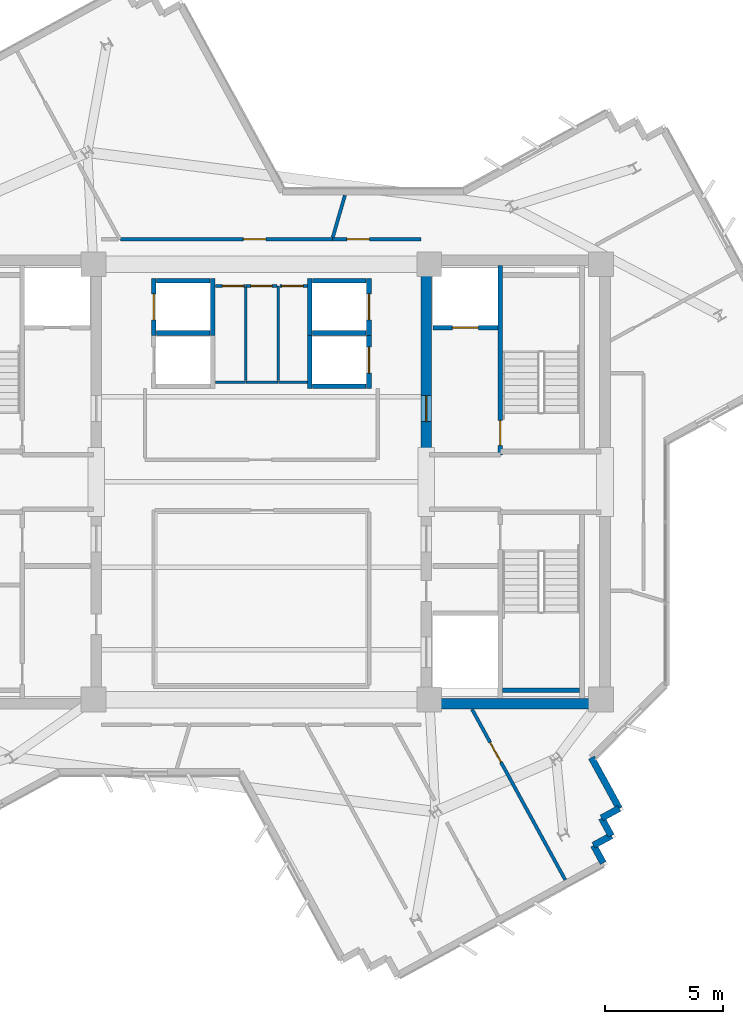
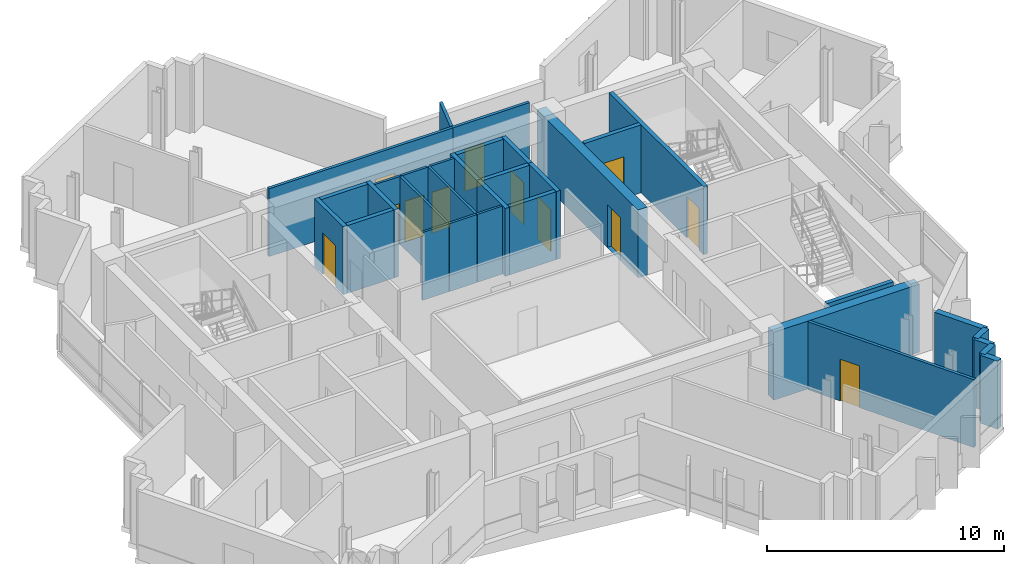
# One storey, part 7 of 13: 33 walls, 12 doors, 12 openings.
"""IFC4 building model written with IfcOpenShell, lengths in metres."""

import ifcopenshell
import ifcopenshell.guid

model = None  # the IFC model being written
_history = None  # IfcOwnerHistory: only IFC2X3 demands one
_inside = {}  # id of a spatial element -> (the spatial element, [elements in it])
_under = {}  # id of a project, library or spatial element -> (it, [spatial elements below it])
_declared = {}  # id of a project -> (the project, [libraries it declares])
_typed = {}  # id of a type object -> (the type object, [elements of that type])
_made_of = {}  # id of a material, layer set ... -> (it, [elements and type objects made of it])


def new_model(schema):
    """Start an empty IFC model of exactly this schema.

    Asked for "IFC4X3", IfcOpenShell would pick the latest addendum, in which some entities
    have other attributes; the version numbers below select the first issue.
    IFC2X3 requires an IfcOwnerHistory on every rooted entity: one is made here for all.
    """
    global model, _history
    if schema == "IFC4X3":
        model = ifcopenshell.file(schema_version=(4, 3, 0, 0))
    else:
        model = ifcopenshell.file(schema=schema)
    _inside.clear()
    _under.clear()
    _declared.clear()
    _typed.clear()
    _made_of.clear()
    _history = None
    if model.schema == "IFC2X3":
        org = make("IfcOrganization", Name="unknown")
        user = make(
            "IfcPersonAndOrganization",
            ThePerson=make("IfcPerson", FamilyName="unknown"),
            TheOrganization=org,
        )
        app = make(
            "IfcApplication",
            ApplicationDeveloper=org,
            Version="unknown",
            ApplicationFullName="unknown",
            ApplicationIdentifier="unknown",
        )
        _history = make(
            "IfcOwnerHistory",
            OwningUser=user,
            OwningApplication=app,
            ChangeAction="ADDED",
            CreationDate=0,
        )
    return model


def make(cls, **values):
    """One entity of the class cls with the attributes given. An attribute that is None is left unset."""
    return model.create_entity(
        cls, **{name: value for name, value in values.items() if value is not None}
    )


def rooted(cls, **values):
    """An entity with a GlobalId (a new one), such as an element, a storey or a relation."""
    return make(cls, GlobalId=ifcopenshell.guid.new(), OwnerHistory=_history, **values)


def si_unit(unit_type, name, prefix=None):
    """IfcSIUnit, for example si_unit("LENGTHUNIT", "METRE", prefix="MILLI")."""
    return make("IfcSIUnit", UnitType=unit_type, Prefix=prefix, Name=name)


def assignment(units):
    """IfcUnitAssignment: the units of a project."""
    return None if units is None else make("IfcUnitAssignment", Units=units)


def point(xyz):
    """IfcCartesianPoint."""
    return None if xyz is None else make("IfcCartesianPoint", Coordinates=xyz)


def direction(xyz):
    """IfcDirection."""
    return None if xyz is None else make("IfcDirection", DirectionRatios=xyz)


def frame(location, z_axis=None, x_axis=None):
    """IfcAxis2Placement3D, a coordinate frame: its origin and axes. An axis left out is left unset."""
    return make(
        "IfcAxis2Placement3D",
        Location=point(location),
        Axis=direction(z_axis),
        RefDirection=direction(x_axis),
    )


def frame_2d(location, x_axis=None):
    """IfcAxis2Placement2D, a coordinate frame in the plane: its origin and x axis."""
    return make(
        "IfcAxis2Placement2D", Location=point(location), RefDirection=direction(x_axis)
    )


def origin():
    """The frame at (0, 0, 0) with its axes left unset."""
    return frame((0.0, 0.0, 0.0))


def place(relative_to, where):
    """IfcLocalPlacement: puts the frame where relative to a parent placement (None: the world)."""
    return make(
        "IfcLocalPlacement", PlacementRelTo=relative_to, RelativePlacement=where
    )


def context(
    kind, dimensions, precision=None, world=None, true_north=None, identifier=None
):
    """IfcGeometricRepresentationContext, for example the 3D "Model" context."""
    return make(
        "IfcGeometricRepresentationContext",
        ContextIdentifier=identifier,
        ContextType=kind,
        CoordinateSpaceDimension=dimensions,
        Precision=precision,
        WorldCoordinateSystem=world,
        TrueNorth=true_north,
    )


def subcontext(parent, identifier, kind, view, scale=None):
    """IfcGeometricRepresentationSubContext, for example "Body" below "Model"."""
    return make(
        "IfcGeometricRepresentationSubContext",
        ContextIdentifier=identifier,
        ContextType=kind,
        ParentContext=parent,
        TargetScale=scale,
        TargetView=view,
    )


def project(units=None, contexts=None):
    """IfcProject with its units and contexts."""
    return rooted(
        "IfcProject",
        Name="project",
        RepresentationContexts=contexts,
        UnitsInContext=assignment(units),
    )


def spatial(cls, under=None, at=None, **own):
    """A site, building, storey or space (cls), placed at a placement, below another one or the project."""
    s = rooted(cls, ObjectPlacement=at, **own)
    if under is not None:
        _under.setdefault(under.id(), (under, []))[1].append(s)
    return s


def profile(cls, at=None, kind="AREA", **sizes):
    """A parametric profile (cls). Its sizes go by their IFC names, for example OverallWidth=200.0."""
    return make(cls, ProfileType=kind, Position=at, **sizes)


def rectangle(**sizes):
    """IfcRectangleProfileDef."""
    return profile("IfcRectangleProfileDef", **sizes)


def extrude(swept, where, along, depth):
    """IfcExtrudedAreaSolid: the profile swept, set in the frame where, extruded along a direction by depth."""
    return make(
        "IfcExtrudedAreaSolid",
        SweptArea=swept,
        Position=where,
        ExtrudedDirection=direction(along),
        Depth=depth,
    )


def shape(context_of_items, identifier, shape_type, items):
    """IfcShapeRepresentation: the items that make up one representation, for example the "Body"."""
    return make(
        "IfcShapeRepresentation",
        ContextOfItems=context_of_items,
        RepresentationIdentifier=identifier,
        RepresentationType=shape_type,
        Items=items,
    )


def source(mapping_origin, context_of_items, identifier, shape_type, items):
    """IfcRepresentationMap: a shape defined once, which mapped items show again and again."""
    return make(
        "IfcRepresentationMap",
        MappingOrigin=mapping_origin,
        MappedRepresentation=shape(context_of_items, identifier, shape_type, items),
    )


def transform(
    local_origin,
    x_axis=None,
    y_axis=None,
    z_axis=None,
    scale=None,
    scale2=None,
    scale3=None,
    uniform=True,
):
    """IfcCartesianTransformationOperator3D, or its non-uniform kind. x_axis, y_axis, z_axis: its Axis1, 2, 3."""
    if uniform:
        return make(
            "IfcCartesianTransformationOperator3D",
            Axis1=direction(x_axis),
            Axis2=direction(y_axis),
            LocalOrigin=point(local_origin),
            Scale=scale,
            Axis3=direction(z_axis),
        )
    return make(
        "IfcCartesianTransformationOperator3DnonUniform",
        Axis1=direction(x_axis),
        Axis2=direction(y_axis),
        LocalOrigin=point(local_origin),
        Scale=scale,
        Axis3=direction(z_axis),
        Scale2=scale2,
        Scale3=scale3,
    )


def mapped(mapping_source, mapping_target):
    """IfcMappedItem: shows the shape of a source again, moved by a transform."""
    return make(
        "IfcMappedItem", MappingSource=mapping_source, MappingTarget=mapping_target
    )


def material(Name=None, Category=None):
    """IfcMaterial."""
    return make("IfcMaterial", Name=Name, Category=Category)


def layer(
    of_material, thickness, ventilated=None, Name=None, Category=None, Priority=None
):
    """IfcMaterialLayer: one layer of a wall or slab, of a material (None: an air gap)."""
    return make(
        "IfcMaterialLayer",
        Material=of_material,
        LayerThickness=thickness,
        IsVentilated=ventilated,
        Name=Name,
        Category=Category,
        Priority=Priority,
    )


def layer_set(layers, Name=None):
    """IfcMaterialLayerSet."""
    return make("IfcMaterialLayerSet", MaterialLayers=layers, LayerSetName=Name)


def made_of(thing, what):
    """Note that an element or type object is made of a material, layer set ...; save() writes the relation."""
    if what is not None:
        _made_of.setdefault(what.id(), (what, []))[1].append(thing)
    return thing


def type_object(cls, material=None, **own):
    """A type object (cls), such as IfcWallType, which elements share."""
    return made_of(rooted(cls, **own), material)


def element(
    cls,
    number,
    at=None,
    inside=None,
    cuts=None,
    type_object=None,
    material=None,
    context=None,
    identifier="Body",
    shape_type=None,
    held_by="IfcProductDefinitionShape",
    body=None,
    shapes=None,
    **own,
):
    """One element of the class cls, such as IfcWall. Its Tag is "e" and its number.

    at: its placement. inside: the storey or other place that contains it. cuts: it is an
    opening in that element (IfcRelVoidsElement). A single representation is given by context,
    identifier, shape_type and body (its items); several are given by shapes. held_by: the class
    of the entity that holds the representations. save() writes the other relations.
    """
    e = rooted(cls, Tag="e%d" % number, ObjectPlacement=at, **own)
    if body is not None:
        shapes = [shape(context, identifier, shape_type, body)]
    if shapes is not None:
        e.Representation = make(held_by, Representations=shapes)
    if inside is not None:
        _inside.setdefault(inside.id(), (inside, []))[1].append(e)
    if cuts is not None:
        rooted(
            "IfcRelVoidsElement", RelatingBuildingElement=cuts, RelatedOpeningElement=e
        )
    if type_object is not None:
        _typed.setdefault(type_object.id(), (type_object, []))[1].append(e)
    return made_of(e, material)


def fill(opening, filler):
    """IfcRelFillsElement: the door or window that sits in an opening."""
    return rooted(
        "IfcRelFillsElement",
        RelatingOpeningElement=opening,
        RelatedBuildingElement=filler,
    )


def aggregate(whole, parts):
    """IfcRelAggregates: a whole, such as a stair, and the parts it consists of."""
    return rooted("IfcRelAggregates", RelatingObject=whole, RelatedObjects=parts)


def save(model, path):
    """Write the relations noted so far, then the file.

    IfcRelAggregates (storeys below a building ...), IfcRelContainedInSpatialStructure (elements
    in a storey), IfcRelDefinesByType, IfcRelAssociatesMaterial and IfcRelDeclares: one each for
    every whole, place, type object, material and project.
    """
    for whole, parts in _under.values():
        aggregate(whole, parts)
    for where, things in _inside.values():
        rooted(
            "IfcRelContainedInSpatialStructure",
            RelatedElements=things,
            RelatingStructure=where,
        )
    for kind, things in _typed.values():
        rooted("IfcRelDefinesByType", RelatedObjects=things, RelatingType=kind)
    for what, things in _made_of.values():
        rooted("IfcRelAssociatesMaterial", RelatedObjects=things, RelatingMaterial=what)
    for by, libraries in _declared.values():
        rooted("IfcRelDeclares", RelatingContext=by, RelatedDefinitions=libraries)
    model.write(path)


model = new_model("IFC4")

# Units and contexts
model_context = context("Model", 3, precision=1e-05, world=origin(), true_north=direction((0.0, 1.0)))
body_context = subcontext(model_context, "Body", "Model", "MODEL_VIEW")
ifc_project = project(units=[si_unit("LENGTHUNIT", "METRE"), si_unit("AREAUNIT", "SQUARE_METRE"), si_unit("VOLUMEUNIT", "CUBIC_METRE"), si_unit("PLANEANGLEUNIT", "RADIAN"), si_unit("MASSUNIT", "GRAM", prefix="KILO")], contexts=[model_context])

# Site, building, storey
site_placement = place(None, origin())
site = spatial("IfcSite", under=ifc_project, at=site_placement, CompositionType="ELEMENT")
building_placement = place(site_placement, origin())
building = spatial("IfcBuilding", under=site, at=building_placement, Name="Zahravan Cultural Tower", CompositionType="ELEMENT")
storey_placement = place(building_placement, frame((0.0, 0.0, 257.85009765625)))
storey = spatial("IfcBuildingStorey", under=building, at=storey_placement, Name="L61", CompositionType="ELEMENT", Elevation=257.85009765625)

# Wall, opening, door
ifc_material_1 = material(Name="Concrete C50/60", Category="concrete")
ifc_layer_1 = layer(ifc_material_1, 0.449951171875)
ifc_layer_set_1 = layer_set([ifc_layer_1], Name="Concrete C50/60")
wall_type_1 = type_object("IfcWallType", Name="CW-SHEAR-450-C50", PredefinedType="SHEAR", material=ifc_layer_set_1)
wall_1_placement = place(storey_placement, frame((42.97509765625, 28.050048828125, 0.0), z_axis=(0.0, 0.0, 1.0), x_axis=(0.0, 1.0, 0.0)))
wall_1 = element("IfcWall", 1, at=wall_1_placement, inside=storey, type_object=wall_type_1, Name="L61 Core Shear Wall CW-E-WN-L61", PredefinedType="SHEAR", context=body_context, shape_type="SweptSolid", body=[
    extrude(rectangle(XDim=8.550048828125, YDim=0.449951171875, at=frame_2d((4.27490234375, 0.0))), origin(), (0.0, 0.0, 1.0), 3.5),
])
opening_1_placement = place(wall_1_placement, frame((1.5, 0.0, 0.0)))
opening_1 = element("IfcOpeningElement", 2, at=opening_1_placement, cuts=wall_1, Name="Opening D-L61-07", PredefinedType="OPENING", context=body_context, shape_type="SweptSolid", body=[
    extrude(rectangle(XDim=1.10009765625, YDim=2.199951171875, at=frame_2d((0.550048828125, 1.10009765625))), frame((0.0, 0.23486328125, 0.0), z_axis=(0.0, -1.0, 0.0), x_axis=(1.0, 0.0, 0.0)), (0.0, 0.0, 1.0), 0.469970703125),
])
ifc_material_2 = material(Name="Steel ASTM A572 Grade 50", Category="steel")
door_type_1 = type_object("IfcDoorType", Name="DR-LOBBY-1100", OperationType="NOTDEFINED", PredefinedType="DOOR", material=ifc_material_2)
shared_shape_1 = source(origin(), body_context, "Body", "SweptSolid", [
    extrude(rectangle(XDim=1.10009765625, YDim=2.199951171875, at=frame_2d((0.550048828125, 1.10009765625))), frame((0.0, 0.02490234375, 0.0), z_axis=(0.0, -1.0, 0.0), x_axis=(1.0, 0.0, 0.0)), (0.0, 0.0, 1.0), 0.050048828125),
])
door_1_placement = place(opening_1_placement, origin())
door_1 = element("IfcDoor", 3, at=door_1_placement, inside=storey, type_object=door_type_1, Name="L61 Door D-L61-07", OperationType="SINGLE_SWING_LEFT", OverallHeight=2.199951171875, OverallWidth=1.10009765625, PredefinedType="DOOR", context=body_context, shape_type="MappedRepresentation", body=[
    mapped(shared_shape_1, transform((0.0, 0.0, 0.0), x_axis=(1.0, 0.0, 0.0), y_axis=(0.0, 1.0, 0.0), z_axis=(0.0, 0.0, 1.0), scale=1.0)),
])
fill(opening_1, door_1)

ifc_material_3 = material(Name="Gypsum plasterboard partition")
ifc_layer_2 = layer(ifc_material_3, 0.139892578125)
ifc_layer_set_2 = layer_set([ifc_layer_2], Name="Gypsum plasterboard partition")
wall_type_2 = type_object("IfcWallType", Name="W-PART-140", PredefinedType="PARTITIONING", material=ifc_layer_set_2)
wall_2_placement = place(storey_placement, frame((44.905517578125, 17.39501953125, 0.0), z_axis=(0.0, 0.0, 1.0), x_axis=(0.479449534835, -0.877569452264, 0.0)))
wall_2 = element("IfcWall", 4, at=wall_2_placement, inside=storey, type_object=wall_type_2, Name="L61 Interior Wall 053", PredefinedType="PARTITIONING", context=body_context, shape_type="SweptSolid", body=[
    extrude(rectangle(XDim=8.216064453125, YDim=0.139892578125, at=frame_2d((4.10791015625, 0.0))), origin(), (0.0, 0.0, 1.0), 3.5),
])
opening_2_placement = place(wall_2_placement, frame((1.5986328125, 0.0, 0.0)))
opening_2 = element("IfcOpeningElement", 5, at=opening_2_placement, cuts=wall_2, Name="Opening D-L61-28", PredefinedType="OPENING", context=body_context, shape_type="SweptSolid", body=[
    extrude(rectangle(XDim=0.949951171875, YDim=2.14990234375, at=frame_2d((0.47509765625, 1.074951171875))), frame((0.0, 0.079833984375, 0.0), z_axis=(0.0, -1.0, 0.0), x_axis=(1.0, 0.0, 0.0)), (0.0, 0.0, 1.0), 0.159912109375),
])
ifc_material_4 = material(Name="Anodised bronze-aluminium mullion", Category="aluminium")
door_type_2 = type_object("IfcDoorType", Name="DR-ROOM-950", OperationType="NOTDEFINED", PredefinedType="DOOR", material=ifc_material_4)
shared_shape_2 = source(origin(), body_context, "Body", "SweptSolid", [
    extrude(rectangle(XDim=0.949951171875, YDim=2.14990234375, at=frame_2d((0.47509765625, 1.074951171875))), frame((0.0, 0.02490234375, 0.0), z_axis=(0.0, -1.0, 0.0), x_axis=(1.0, 0.0, 0.0)), (0.0, 0.0, 1.0), 0.050048828125),
])
door_2_placement = place(opening_2_placement, origin())
door_2 = element("IfcDoor", 6, at=door_2_placement, inside=storey, type_object=door_type_2, Name="L61 Door D-L61-28", OperationType="SINGLE_SWING_RIGHT", OverallHeight=2.14990234375, OverallWidth=0.949951171875, PredefinedType="DOOR", context=body_context, shape_type="MappedRepresentation", body=[
    mapped(shared_shape_2, transform((0.0, 0.0, 0.0), x_axis=(1.0, 0.0, 0.0), y_axis=(0.0, 1.0, 0.0), z_axis=(0.0, 0.0, 1.0), scale=1.0)),
])
fill(opening_2, door_2)

wall_3_placement = place(storey_placement, frame((42.74658203125, 37.2587890625, 0.0), z_axis=(0.0, 0.0, 1.0), x_axis=(-0.99999994699, 0.000325605609, 0.0)))
wall_3 = element("IfcWall", 7, at=wall_3_placement, inside=storey, type_object=wall_type_2, Name="L61 Interior Wall 074", PredefinedType="PARTITIONING", context=body_context, shape_type="SweptSolid", body=[
    extrude(rectangle(XDim=3.7490234375, YDim=0.139892578125, at=frame_2d((1.87451171875, 0.0))), origin(), (0.0, 0.0, 1.0), 3.5),
])
opening_3_placement = place(wall_3_placement, frame((2.183349609375, 0.0, 0.0)))
opening_3 = element("IfcOpeningElement", 8, at=opening_3_placement, cuts=wall_3, Name="Opening D-L61-18", PredefinedType="OPENING", context=body_context, shape_type="SweptSolid", body=[
    extrude(rectangle(XDim=0.949951171875, YDim=2.14990234375, at=frame_2d((0.47509765625, 1.074951171875))), frame((0.0, 0.079833984375, 0.0), z_axis=(0.0, -1.0, 0.0), x_axis=(1.0, 0.0, 0.0)), (0.0, 0.0, 1.0), 0.159912109375),
])
door_3_placement = place(opening_3_placement, origin())
door_3 = element("IfcDoor", 9, at=door_3_placement, inside=storey, type_object=door_type_2, Name="L61 Door D-L61-18", OperationType="SINGLE_SWING_RIGHT", OverallHeight=2.14990234375, OverallWidth=0.949951171875, PredefinedType="DOOR", context=body_context, shape_type="MappedRepresentation", body=[
    mapped(shared_shape_2, transform((0.0, 0.0, 0.0), x_axis=(1.0, 0.0, 0.0), y_axis=(0.0, 1.0, 0.0), z_axis=(0.0, 0.0, 1.0), scale=1.0)),
])
fill(opening_3, door_3)

wall_4_placement = place(storey_placement, frame((38.99755859375, 37.260009765625, 0.0), z_axis=(0.0, 0.0, 1.0), x_axis=(-1.0, 0.0, 0.0)))
wall_4 = element("IfcWall", 10, at=wall_4_placement, inside=storey, type_object=wall_type_2, Name="L61 Interior Wall 085", PredefinedType="PARTITIONING", context=body_context, shape_type="SweptSolid", body=[
    extrude(rectangle(XDim=8.956298828125, YDim=0.139892578125, at=frame_2d((4.47802734375, 0.0))), origin(), (0.0, 0.0, 1.0), 3.5),
])
opening_4_placement = place(wall_4_placement, frame((2.80224609375, 0.0, 0.0)))
opening_4 = element("IfcOpeningElement", 11, at=opening_4_placement, cuts=wall_4, Name="Opening D-L61-19", PredefinedType="OPENING", context=body_context, shape_type="SweptSolid", body=[
    extrude(rectangle(XDim=0.949951171875, YDim=2.14990234375, at=frame_2d((0.47509765625, 1.074951171875))), frame((0.0, 0.079833984375, 0.0), z_axis=(0.0, -1.0, 0.0), x_axis=(1.0, 0.0, 0.0)), (0.0, 0.0, 1.0), 0.159912109375),
])
door_4_placement = place(opening_4_placement, origin())
door_4 = element("IfcDoor", 12, at=door_4_placement, inside=storey, type_object=door_type_2, Name="L61 Door D-L61-19", OperationType="SINGLE_SWING_LEFT", OverallHeight=2.14990234375, OverallWidth=0.949951171875, PredefinedType="DOOR", context=body_context, shape_type="MappedRepresentation", body=[
    mapped(shared_shape_2, transform((0.0, 0.0, 0.0), x_axis=(1.0, 0.0, 0.0), y_axis=(0.0, 1.0, 0.0), z_axis=(0.0, 0.0, 1.0), scale=1.0)),
])
fill(opening_4, door_4)

ifc_material_5 = material(Name="Concrete C45/55", Category="concrete")
ifc_layer_3 = layer(ifc_material_5, 0.199951171875)
ifc_layer_set_3 = layer_set([ifc_layer_3], Name="Concrete C45/55")
wall_type_3 = type_object("IfcWallType", Name="W-SHAFT-200", PredefinedType="SOLIDWALL", material=ifc_layer_set_3)
wall_5_placement = place(storey_placement, frame((46.10009765625, 28.14990234375, 0.0), z_axis=(0.0, 0.0, 1.0), x_axis=(0.0, 1.0, 0.0)))
wall_5 = element("IfcWall", 13, at=wall_5_placement, inside=storey, type_object=wall_type_3, Name="L61 Interior Wall 008", PredefinedType="SOLIDWALL", context=body_context, shape_type="SweptSolid", body=[
    extrude(rectangle(XDim=8.0, YDim=0.199951171875, at=frame_2d((4.0, 0.0))), origin(), (0.0, 0.0, 1.0), 3.5),
])
opening_5_placement = place(wall_5_placement, frame((0.39990234375, 0.0, 0.0)))
opening_5 = element("IfcOpeningElement", 14, at=opening_5_placement, cuts=wall_5, Name="Opening D-L61-02", PredefinedType="OPENING", context=body_context, shape_type="SweptSolid", body=[
    extrude(rectangle(XDim=1.050048828125, YDim=2.14990234375, at=frame_2d((0.52490234375, 1.074951171875))), frame((0.0, 0.10986328125, 0.0), z_axis=(0.0, -1.0, 0.0), x_axis=(1.0, 0.0, 0.0)), (0.0, 0.0, 1.0), 0.219970703125),
])
door_type_3 = type_object("IfcDoorType", Name="DR-STAIR-1050", OperationType="NOTDEFINED", PredefinedType="DOOR", material=ifc_material_2)
shared_shape_3 = source(origin(), body_context, "Body", "SweptSolid", [
    extrude(rectangle(XDim=1.050048828125, YDim=2.14990234375, at=frame_2d((0.52490234375, 1.074951171875))), frame((0.0, 0.02490234375, 0.0), z_axis=(0.0, -1.0, 0.0), x_axis=(1.0, 0.0, 0.0)), (0.0, 0.0, 1.0), 0.050048828125),
])
door_5_placement = place(opening_5_placement, origin())
door_5 = element("IfcDoor", 15, at=door_5_placement, inside=storey, type_object=door_type_3, Name="L61 Door D-L61-02", OperationType="SINGLE_SWING_RIGHT", OverallHeight=2.14990234375, OverallWidth=1.050048828125, PredefinedType="DOOR", context=body_context, shape_type="MappedRepresentation", body=[
    mapped(shared_shape_3, transform((0.0, 0.0, 0.0), x_axis=(1.0, 0.0, 0.0), y_axis=(0.0, 1.0, 0.0), z_axis=(0.0, 0.0, 1.0), scale=1.0)),
])
fill(opening_5, door_5)

wall_6_placement = place(storey_placement, frame((43.25, 33.52001953125, 0.0), z_axis=(0.0, 0.0, 1.0), x_axis=(1.0, 0.0, 0.0)))
wall_6 = element("IfcWall", 16, at=wall_6_placement, inside=storey, type_object=wall_type_3, Name="L61 Interior Wall 023", PredefinedType="SOLIDWALL", context=body_context, shape_type="SweptSolid", body=[
    extrude(rectangle(XDim=2.75, YDim=0.199951171875, at=frame_2d((1.375, 0.0))), origin(), (0.0, 0.0, 1.0), 3.5),
])
opening_6_placement = place(wall_6_placement, frame((0.820068359375, 0.0, 0.0)))
opening_6 = element("IfcOpeningElement", 17, at=opening_6_placement, cuts=wall_6, Name="Opening LD-L61-02", PredefinedType="OPENING", context=body_context, shape_type="SweptSolid", body=[
    extrude(rectangle(XDim=1.10009765625, YDim=2.14990234375, at=frame_2d((0.550048828125, 1.074951171875))), frame((0.0, 0.10986328125, 0.0), z_axis=(0.0, -1.0, 0.0), x_axis=(1.0, 0.0, 0.0)), (0.0, 0.0, 1.0), 0.219970703125),
])
door_type_4 = type_object("IfcDoorType", Name="DR-LIFT-1100", OperationType="DOUBLE_DOOR_SLIDING", PredefinedType="DOOR", material=ifc_material_2)
shared_shape_4 = source(origin(), body_context, "Body", "SweptSolid", [
    extrude(rectangle(XDim=1.10009765625, YDim=2.14990234375, at=frame_2d((0.550048828125, 1.074951171875))), frame((0.0, 0.02490234375, 0.0), z_axis=(0.0, -1.0, 0.0), x_axis=(1.0, 0.0, 0.0)), (0.0, 0.0, 1.0), 0.050048828125),
])
door_6_placement = place(opening_6_placement, origin())
door_6 = element("IfcDoor", 18, at=door_6_placement, inside=storey, type_object=door_type_4, Name="L61 Door LD-L61-02", OperationType="DOUBLE_DOOR_SLIDING", OverallHeight=2.14990234375, OverallWidth=1.10009765625, PredefinedType="DOOR", context=body_context, shape_type="MappedRepresentation", body=[
    mapped(shared_shape_4, transform((0.0, 0.0, 0.0), x_axis=(1.0, 0.0, 0.0), y_axis=(0.0, 1.0, 0.0), z_axis=(0.0, 0.0, 1.0), scale=1.0)),
])
fill(opening_6, door_6)

wall_7_placement = place(storey_placement, frame((31.449951171875, 33.199951171875, 0.0), z_axis=(0.0, 0.0, 1.0), x_axis=(0.0, 1.0, 0.0)))
wall_7 = element("IfcWall", 19, at=wall_7_placement, inside=storey, type_object=wall_type_3, Name="L61 Interior Wall 027", PredefinedType="SOLIDWALL", context=body_context, shape_type="SweptSolid", body=[
    extrude(rectangle(XDim=2.400146484375, YDim=0.199951171875, at=frame_2d((1.2001953125, 0.0))), origin(), (0.0, 0.0, 1.0), 3.5),
])
opening_7_placement = place(wall_7_placement, frame((0.64990234375, 0.0, 0.0)))
opening_7 = element("IfcOpeningElement", 20, at=opening_7_placement, cuts=wall_7, Name="Opening LD-L61-04", PredefinedType="OPENING", context=body_context, shape_type="SweptSolid", body=[
    extrude(rectangle(XDim=1.10009765625, YDim=2.14990234375, at=frame_2d((0.550048828125, 1.074951171875))), frame((0.0, 0.10986328125, 0.0), z_axis=(0.0, -1.0, 0.0), x_axis=(1.0, 0.0, 0.0)), (0.0, 0.0, 1.0), 0.219970703125),
])
door_7_placement = place(opening_7_placement, origin())
door_7 = element("IfcDoor", 21, at=door_7_placement, inside=storey, type_object=door_type_4, Name="L61 Door LD-L61-04", OperationType="DOUBLE_DOOR_SLIDING", OverallHeight=2.14990234375, OverallWidth=1.10009765625, PredefinedType="DOOR", context=body_context, shape_type="MappedRepresentation", body=[
    mapped(shared_shape_4, transform((0.0, 0.0, 0.0), x_axis=(1.0, 0.0, 0.0), y_axis=(0.0, 1.0, 0.0), z_axis=(0.0, 0.0, 1.0), scale=1.0)),
])
fill(opening_7, door_7)

wall_8_placement = place(storey_placement, frame((40.550048828125, 33.199951171875, 0.0), z_axis=(0.0, 0.0, 1.0), x_axis=(0.0, 1.0, 0.0)))
wall_8 = element("IfcWall", 22, at=wall_8_placement, inside=storey, type_object=wall_type_3, Name="L61 Interior Wall 035", PredefinedType="SOLIDWALL", context=body_context, shape_type="SweptSolid", body=[
    extrude(rectangle(XDim=2.400146484375, YDim=0.199951171875, at=frame_2d((1.2001953125, 0.0))), origin(), (0.0, 0.0, 1.0), 3.5),
])
opening_8_placement = place(wall_8_placement, frame((0.64990234375, 0.0, 0.0)))
opening_8 = element("IfcOpeningElement", 23, at=opening_8_placement, cuts=wall_8, Name="Opening LD-L61-06", PredefinedType="OPENING", context=body_context, shape_type="SweptSolid", body=[
    extrude(rectangle(XDim=1.10009765625, YDim=2.14990234375, at=frame_2d((0.550048828125, 1.074951171875))), frame((0.0, 0.10986328125, 0.0), z_axis=(0.0, -1.0, 0.0), x_axis=(1.0, 0.0, 0.0)), (0.0, 0.0, 1.0), 0.219970703125),
])
door_8_placement = place(opening_8_placement, origin())
door_8 = element("IfcDoor", 24, at=door_8_placement, inside=storey, type_object=door_type_4, Name="L61 Door LD-L61-06", OperationType="DOUBLE_DOOR_SLIDING", OverallHeight=2.14990234375, OverallWidth=1.10009765625, PredefinedType="DOOR", context=body_context, shape_type="MappedRepresentation", body=[
    mapped(shared_shape_4, transform((0.0, 0.0, 0.0), x_axis=(1.0, 0.0, 0.0), y_axis=(0.0, 1.0, 0.0), z_axis=(0.0, 0.0, 1.0), scale=1.0)),
])
fill(opening_8, door_8)

wall_9_placement = place(storey_placement, frame((40.550048828125, 30.949951171875, 0.0), z_axis=(0.0, 0.0, 1.0), x_axis=(0.0, 1.0, 0.0)))
wall_9 = element("IfcWall", 25, at=wall_9_placement, inside=storey, type_object=wall_type_3, Name="L61 Interior Wall 039", PredefinedType="SOLIDWALL", context=body_context, shape_type="SweptSolid", body=[
    extrude(rectangle(XDim=2.400146484375, YDim=0.199951171875, at=frame_2d((1.2001953125, 0.0))), origin(), (0.0, 0.0, 1.0), 3.5),
])
opening_9_placement = place(wall_9_placement, frame((0.64990234375, 0.0, 0.0)))
opening_9 = element("IfcOpeningElement", 26, at=opening_9_placement, cuts=wall_9, Name="Opening LD-L61-07", PredefinedType="OPENING", context=body_context, shape_type="SweptSolid", body=[
    extrude(rectangle(XDim=1.10009765625, YDim=2.14990234375, at=frame_2d((0.550048828125, 1.074951171875))), frame((0.0, 0.10986328125, 0.0), z_axis=(0.0, -1.0, 0.0), x_axis=(1.0, 0.0, 0.0)), (0.0, 0.0, 1.0), 0.219970703125),
])
door_9_placement = place(opening_9_placement, origin())
door_9 = element("IfcDoor", 27, at=door_9_placement, inside=storey, type_object=door_type_4, Name="L61 Door LD-L61-07", OperationType="DOUBLE_DOOR_SLIDING", OverallHeight=2.14990234375, OverallWidth=1.10009765625, PredefinedType="DOOR", context=body_context, shape_type="MappedRepresentation", body=[
    mapped(shared_shape_4, transform((0.0, 0.0, 0.0), x_axis=(1.0, 0.0, 0.0), y_axis=(0.0, 1.0, 0.0), z_axis=(0.0, 0.0, 1.0), scale=1.0)),
])
fill(opening_9, door_9)

ifc_layer_4 = layer(ifc_material_3, 0.114990234375)
ifc_layer_set_4 = layer_set([ifc_layer_4], Name="Gypsum plasterboard partition")
wall_type_4 = type_object("IfcWallType", Name="W-WC-115", PredefinedType="PARTITIONING", material=ifc_layer_set_4)
wall_10_placement = place(storey_placement, frame((36.782470703125, 35.280029296875, 0.0), z_axis=(0.0, 0.0, 1.0), x_axis=(1.0, 0.0, 0.0)))
wall_10 = element("IfcWall", 28, at=wall_10_placement, inside=storey, type_object=wall_type_4, Name="L61 Interior Wall 043", PredefinedType="PARTITIONING", context=body_context, shape_type="SweptSolid", body=[
    extrude(rectangle(XDim=1.16259765625, YDim=0.114990234375, at=frame_2d((0.581298828125, 0.0))), origin(), (0.0, 0.0, 1.0), 3.5),
])
opening_10_placement = place(wall_10_placement, frame((0.0888671875, 0.0, 0.0)))
opening_10 = element("IfcOpeningElement", 29, at=opening_10_placement, cuts=wall_10, Name="Opening D-L61-15", PredefinedType="OPENING", context=body_context, shape_type="SweptSolid", body=[
    extrude(rectangle(XDim=0.89990234375, YDim=2.10009765625, at=frame_2d((0.449951171875, 1.050048828125))), frame((0.0, 0.0673828125, 0.0), z_axis=(0.0, -1.0, 0.0), x_axis=(1.0, 0.0, 0.0)), (0.0, 0.0, 1.0), 0.135009765625),
])
door_type_5 = type_object("IfcDoorType", Name="DR-WC-900", OperationType="NOTDEFINED", PredefinedType="DOOR", material=ifc_material_4)
shared_shape_5 = source(origin(), body_context, "Body", "SweptSolid", [
    extrude(rectangle(XDim=0.89990234375, YDim=2.10009765625, at=frame_2d((0.449951171875, 1.050048828125))), frame((0.0, 0.02490234375, 0.0), z_axis=(0.0, -1.0, 0.0), x_axis=(1.0, 0.0, 0.0)), (0.0, 0.0, 1.0), 0.050048828125),
])
door_10_placement = place(opening_10_placement, origin())
door_10 = element("IfcDoor", 30, at=door_10_placement, inside=storey, type_object=door_type_5, Name="L61 Door D-L61-15", OperationType="SINGLE_SWING_LEFT", OverallHeight=2.10009765625, OverallWidth=0.89990234375, PredefinedType="DOOR", context=body_context, shape_type="MappedRepresentation", body=[
    mapped(shared_shape_5, transform((0.0, 0.0, 0.0), x_axis=(1.0, 0.0, 0.0), y_axis=(0.0, 1.0, 0.0), z_axis=(0.0, 0.0, 1.0), scale=1.0)),
])
fill(opening_10, door_10)

wall_11_placement = place(storey_placement, frame((34.054931640625, 35.280029296875, 0.0), z_axis=(0.0, 0.0, 1.0), x_axis=(1.0, 0.0, 0.0)))
wall_11 = element("IfcWall", 31, at=wall_11_placement, inside=storey, type_object=wall_type_4, Name="L61 Interior Wall 045", PredefinedType="PARTITIONING", context=body_context, shape_type="SweptSolid", body=[
    extrude(rectangle(XDim=1.28515625, YDim=0.114990234375, at=frame_2d((0.642578125, 0.0))), origin(), (0.0, 0.0, 1.0), 3.5),
])
opening_11_placement = place(wall_11_placement, frame((0.30029296875, 0.0, 0.0)))
opening_11 = element("IfcOpeningElement", 32, at=opening_11_placement, cuts=wall_11, Name="Opening D-L61-13", PredefinedType="OPENING", context=body_context, shape_type="SweptSolid", body=[
    extrude(rectangle(XDim=0.89990234375, YDim=2.10009765625, at=frame_2d((0.449951171875, 1.050048828125))), frame((0.0, 0.0673828125, 0.0), z_axis=(0.0, -1.0, 0.0), x_axis=(1.0, 0.0, 0.0)), (0.0, 0.0, 1.0), 0.135009765625),
])
door_11_placement = place(opening_11_placement, origin())
door_11 = element("IfcDoor", 33, at=door_11_placement, inside=storey, type_object=door_type_5, Name="L61 Door D-L61-13", OperationType="SINGLE_SWING_LEFT", OverallHeight=2.10009765625, OverallWidth=0.89990234375, PredefinedType="DOOR", context=body_context, shape_type="MappedRepresentation", body=[
    mapped(shared_shape_5, transform((0.0, 0.0, 0.0), x_axis=(1.0, 0.0, 0.0), y_axis=(0.0, 1.0, 0.0), z_axis=(0.0, 0.0, 1.0), scale=1.0)),
])
fill(opening_11, door_11)

wall_12_placement = place(storey_placement, frame((35.360107421875, 35.280029296875, 0.0), z_axis=(0.0, 0.0, 1.0), x_axis=(1.0, 0.0, 0.0)))
wall_12 = element("IfcWall", 34, at=wall_12_placement, inside=storey, type_object=wall_type_4, Name="L61 Interior Wall 048", PredefinedType="PARTITIONING", context=body_context, shape_type="SweptSolid", body=[
    extrude(rectangle(XDim=1.29736328125, YDim=0.114990234375, at=frame_2d((0.648681640625, 0.0))), origin(), (0.0, 0.0, 1.0), 3.5),
])
opening_12_placement = place(wall_12_placement, frame((0.19873046875, 0.0, 0.0)))
opening_12 = element("IfcOpeningElement", 35, at=opening_12_placement, cuts=wall_12, Name="Opening D-L61-14", PredefinedType="OPENING", context=body_context, shape_type="SweptSolid", body=[
    extrude(rectangle(XDim=0.89990234375, YDim=2.10009765625, at=frame_2d((0.449951171875, 1.050048828125))), frame((0.0, 0.0673828125, 0.0), z_axis=(0.0, -1.0, 0.0), x_axis=(1.0, 0.0, 0.0)), (0.0, 0.0, 1.0), 0.135009765625),
])
door_12_placement = place(opening_12_placement, origin())
door_12 = element("IfcDoor", 36, at=door_12_placement, inside=storey, type_object=door_type_5, Name="L61 Door D-L61-14", OperationType="SINGLE_SWING_RIGHT", OverallHeight=2.10009765625, OverallWidth=0.89990234375, PredefinedType="DOOR", context=body_context, shape_type="MappedRepresentation", body=[
    mapped(shared_shape_5, transform((0.0, 0.0, 0.0), x_axis=(1.0, 0.0, 0.0), y_axis=(0.0, 1.0, 0.0), z_axis=(0.0, 0.0, 1.0), scale=1.0)),
])
fill(opening_12, door_12)

# Walls
shared_shape_6 = source(origin(), body_context, "Body", "SweptSolid", [
    extrude(rectangle(XDim=7.10009765625, YDim=0.449951171875, at=frame_2d((3.550048828125, 0.0))), origin(), (0.0, 0.0, 1.0), 3.5),
])
wall_13_placement = place(storey_placement, frame((43.199951171875, 17.625, 0.0), z_axis=(0.0, 0.0, 1.0), x_axis=(1.0, 0.0, 0.0)))
element("IfcWall", 37, at=wall_13_placement, inside=storey, type_object=wall_type_1, Name="L61 Core Shear Wall CW-E-S-L61", PredefinedType="SHEAR", context=body_context, shape_type="MappedRepresentation", body=[
    mapped(shared_shape_6, transform((0.0, 0.0, 0.0), x_axis=(1.0, 0.0, 0.0), y_axis=(0.0, 1.0, 0.0), z_axis=(0.0, 0.0, 1.0), scale=1.0)),
])
ifc_material_6 = material(Name="Precast concrete C40/50", Category="concrete")
ifc_layer_5 = layer(ifc_material_6, 0.280029296875)
ifc_layer_set_5 = layer_set([ifc_layer_5], Name="Precast concrete C40/50")
wall_type_5 = type_object("IfcWallType", Name="EW-TC-280", PredefinedType="SOLIDWALL", material=ifc_layer_set_5)
shared_shape_7 = source(origin(), body_context, "Body", "SweptSolid", [
    extrude(rectangle(XDim=0.85009765625, YDim=0.280029296875, at=frame_2d((0.425048828125, 0.0))), origin(), (0.0, 0.0, 1.0), 3.5),
])
for number, where, z_axis, x_axis, name in (
    (38, (50.380859375, 12.7958984375, 0.0), (0.0, 0.0, 1.0), (0.479656876283, -0.877456141943, 0.0), "L61 Exterior Masonry Frame Wall 15"),
    (39, (50.78857421875, 12.050048828125, 0.0), (0.0, 0.0, 1.0), (-0.877643019177, -0.479314855696, 0.0), "L61 Exterior Masonry Frame Wall 16"),
):
    element("IfcWall", number, at=place(storey_placement, frame(where, z_axis=z_axis, x_axis=x_axis)), inside=storey, type_object=wall_type_5, Name=name, PredefinedType="SOLIDWALL", context=body_context, shape_type="MappedRepresentation", body=[
        mapped(shared_shape_7, transform((0.0, 0.0, 0.0), x_axis=(1.0, 0.0, 0.0), y_axis=(0.0, 1.0, 0.0), z_axis=(0.0, 0.0, 1.0), scale=1.0)),
    ])
shared_shape_8 = source(origin(), body_context, "Body", "SweptSolid", [
    extrude(rectangle(XDim=0.850341796875, YDim=0.280029296875, at=frame_2d((0.42529296875, 0.0))), origin(), (0.0, 0.0, 1.0), 3.5),
])
for number, where, z_axis, x_axis, name in (
    (40, (51.126953125, 13.20361328125, 0.0), (0.0, 0.0, 1.0), (-0.87752219781, -0.479536017782, 0.0), "L61 Exterior Masonry Frame Wall 14"),
    (41, (50.04248046875, 11.642578125, 0.0), (0.0, 0.0, 1.0), (0.479536017782, -0.87752219781, 0.0), "L61 Exterior Masonry Frame Wall 17"),
):
    element("IfcWall", number, at=place(storey_placement, frame(where, z_axis=z_axis, x_axis=x_axis)), inside=storey, type_object=wall_type_5, Name=name, PredefinedType="SOLIDWALL", context=body_context, shape_type="MappedRepresentation", body=[
        mapped(shared_shape_8, transform((0.0, 0.0, 0.0), x_axis=(1.0, 0.0, 0.0), y_axis=(0.0, 1.0, 0.0), z_axis=(0.0, 0.0, 1.0), scale=1.0)),
    ])
shared_shape_9 = source(origin(), body_context, "Body", "SweptSolid", [
    extrude(rectangle(XDim=2.447509765625, YDim=0.280029296875, at=frame_2d((1.2236328125, 0.0))), origin(), (0.0, 0.0, 1.0), 3.5),
])
wall_14_placement = place(storey_placement, frame((49.953369140625, 15.351318359375, 0.0), z_axis=(0.0, 0.0, 1.0), x_axis=(0.47951595933, -0.877533158774, 0.0)))
element("IfcWall", 42, at=wall_14_placement, inside=storey, type_object=wall_type_5, Name="L61 Exterior Masonry Frame Wall 13", PredefinedType="SOLIDWALL", context=body_context, shape_type="MappedRepresentation", body=[
    mapped(shared_shape_9, transform((0.0, 0.0, 0.0), x_axis=(1.0, 0.0, 0.0), y_axis=(0.0, 1.0, 0.0), z_axis=(0.0, 0.0, 1.0), scale=1.0)),
])
shared_shape_10 = source(origin(), body_context, "Body", "SweptSolid", [
    extrude(rectangle(XDim=3.25, YDim=0.199951171875, at=frame_2d((1.625, 0.0))), origin(), (0.0, 0.0, 1.0), 3.5),
])
wall_15_placement = place(storey_placement, frame((46.199951171875, 18.199951171875, 0.0), z_axis=(0.0, 0.0, 1.0), x_axis=(1.0, 0.0, 0.0)))
element("IfcWall", 43, at=wall_15_placement, inside=storey, type_object=wall_type_3, Name="L61 Interior Wall 020", PredefinedType="SOLIDWALL", context=body_context, shape_type="MappedRepresentation", body=[
    mapped(shared_shape_10, transform((0.0, 0.0, 0.0), x_axis=(1.0, 0.0, 0.0), y_axis=(0.0, 1.0, 0.0), z_axis=(0.0, 0.0, 1.0), scale=1.0)),
])
shared_shape_11 = source(origin(), body_context, "Body", "SweptSolid", [
    extrude(rectangle(XDim=2.400146484375, YDim=0.199951171875, at=frame_2d((1.2001953125, 0.0))), origin(), (0.0, 0.0, 1.0), 3.5),
])
for number, where, z_axis, x_axis, name in (
    (44, (33.949951171875, 33.199951171875, 0.0), (0.0, 0.0, 1.0), (0.0, 1.0, 0.0), "L61 Interior Wall 028"),
    (45, (38.050048828125, 33.199951171875, 0.0), (0.0, 0.0, 1.0), (0.0, 1.0, 0.0), "L61 Interior Wall 034"),
    (46, (38.050048828125, 30.949951171875, 0.0), (0.0, 0.0, 1.0), (0.0, 1.0, 0.0), "L61 Interior Wall 038"),
):
    element("IfcWall", number, at=place(storey_placement, frame(where, z_axis=z_axis, x_axis=x_axis)), inside=storey, type_object=wall_type_3, Name=name, PredefinedType="SOLIDWALL", context=body_context, shape_type="MappedRepresentation", body=[
        mapped(shared_shape_11, transform((0.0, 0.0, 0.0), x_axis=(1.0, 0.0, 0.0), y_axis=(0.0, 1.0, 0.0), z_axis=(0.0, 0.0, 1.0), scale=1.0)),
    ])
shared_shape_12 = source(origin(), body_context, "Body", "SweptSolid", [
    extrude(rectangle(XDim=2.260009765625, YDim=0.199951171875, at=frame_2d((1.1298828125, 0.0))), origin(), (0.0, 0.0, 1.0), 3.5),
])
for number, where, z_axis, x_axis, name in (
    (47, (31.570068359375, 33.300048828125, 0.0), (0.0, 0.0, 1.0), (1.0, 0.0, 0.0), "L61 Interior Wall 029"),
    (48, (31.570068359375, 35.5, 0.0), (0.0, 0.0, 1.0), (1.0, 0.0, 0.0), "L61 Interior Wall 030"),
    (49, (38.169921875, 33.300048828125, 0.0), (0.0, 0.0, 1.0), (1.0, 0.0, 0.0), "L61 Interior Wall 036"),
    (50, (38.169921875, 35.5, 0.0), (0.0, 0.0, 1.0), (1.0, 0.0, 0.0), "L61 Interior Wall 037"),
    (51, (38.169921875, 31.050048828125, 0.0), (0.0, 0.0, 1.0), (1.0, 0.0, 0.0), "L61 Interior Wall 040"),
):
    element("IfcWall", number, at=place(storey_placement, frame(where, z_axis=z_axis, x_axis=x_axis)), inside=storey, type_object=wall_type_3, Name=name, PredefinedType="SOLIDWALL", context=body_context, shape_type="MappedRepresentation", body=[
        mapped(shared_shape_12, transform((0.0, 0.0, 0.0), x_axis=(1.0, 0.0, 0.0), y_axis=(0.0, 1.0, 0.0), z_axis=(0.0, 0.0, 1.0), scale=1.0)),
    ])
shared_shape_13 = source(origin(), body_context, "Body", "SweptSolid", [
    extrude(rectangle(XDim=1.22509765625, YDim=0.114990234375, at=frame_2d((0.612548828125, 0.0))), origin(), (0.0, 0.0, 1.0), 3.5),
])
wall_16_placement = place(storey_placement, frame((37.945068359375, 31.219970703125, 0.0), z_axis=(0.0, 0.0, 1.0), x_axis=(-1.0, 0.0, 0.0)))
element("IfcWall", 52, at=wall_16_placement, inside=storey, type_object=wall_type_4, Name="L61 Interior Wall 041", PredefinedType="PARTITIONING", context=body_context, shape_type="MappedRepresentation", body=[
    mapped(shared_shape_13, transform((0.0, 0.0, 0.0), x_axis=(1.0, 0.0, 0.0), y_axis=(0.0, 1.0, 0.0), z_axis=(0.0, 0.0, 1.0), scale=1.0)),
])
shared_shape_14 = source(origin(), body_context, "Body", "SweptSolid", [
    extrude(rectangle(XDim=3.99755859375, YDim=0.114990234375, at=frame_2d((1.998779296875, 0.0))), origin(), (0.0, 0.0, 1.0), 3.5),
])
wall_17_placement = place(storey_placement, frame((36.719970703125, 31.282470703125, 0.0), z_axis=(0.0, 0.0, 1.0), x_axis=(0.0, 1.0, 0.0)))
element("IfcWall", 53, at=wall_17_placement, inside=storey, type_object=wall_type_4, Name="L61 Interior Wall 042", PredefinedType="PARTITIONING", context=body_context, shape_type="MappedRepresentation", body=[
    mapped(shared_shape_14, transform((0.0, 0.0, 0.0), x_axis=(1.0, 0.0, 0.0), y_axis=(0.0, 1.0, 0.0), z_axis=(0.0, 0.0, 1.0), scale=1.0)),
])
shared_shape_15 = source(origin(), body_context, "Body", "SweptSolid", [
    extrude(rectangle(XDim=1.28515625, YDim=0.114990234375, at=frame_2d((0.642578125, 0.0))), origin(), (0.0, 0.0, 1.0), 3.5),
])
wall_18_placement = place(storey_placement, frame((35.340087890625, 31.219970703125, 0.0), z_axis=(0.0, 0.0, 1.0), x_axis=(-1.0, 0.0, 0.0)))
element("IfcWall", 54, at=wall_18_placement, inside=storey, type_object=wall_type_4, Name="L61 Interior Wall 044", PredefinedType="PARTITIONING", context=body_context, shape_type="MappedRepresentation", body=[
    mapped(shared_shape_15, transform((0.0, 0.0, 0.0), x_axis=(1.0, 0.0, 0.0), y_axis=(0.0, 1.0, 0.0), z_axis=(0.0, 0.0, 1.0), scale=1.0)),
])
shared_shape_16 = source(origin(), body_context, "Body", "SweptSolid", [
    extrude(rectangle(XDim=3.93505859375, YDim=0.114990234375, at=frame_2d((1.967529296875, 0.0))), origin(), (0.0, 0.0, 1.0), 3.5),
])
wall_19_placement = place(storey_placement, frame((35.340087890625, 35.217529296875, 0.0), z_axis=(0.0, 0.0, 1.0), x_axis=(0.0, -1.0, 0.0)))
element("IfcWall", 55, at=wall_19_placement, inside=storey, type_object=wall_type_4, Name="L61 Interior Wall 046", PredefinedType="PARTITIONING", context=body_context, shape_type="MappedRepresentation", body=[
    mapped(shared_shape_16, transform((0.0, 0.0, 0.0), x_axis=(1.0, 0.0, 0.0), y_axis=(0.0, 1.0, 0.0), z_axis=(0.0, 0.0, 1.0), scale=1.0)),
])
shared_shape_17 = source(origin(), body_context, "Body", "SweptSolid", [
    extrude(rectangle(XDim=1.33984375, YDim=0.114990234375, at=frame_2d((0.669921875, 0.0))), origin(), (0.0, 0.0, 1.0), 3.5),
])
wall_20_placement = place(storey_placement, frame((36.699951171875, 31.219970703125, 0.0), z_axis=(0.0, 0.0, 1.0), x_axis=(-1.0, 0.0, 0.0)))
element("IfcWall", 56, at=wall_20_placement, inside=storey, type_object=wall_type_4, Name="L61 Interior Wall 047", PredefinedType="PARTITIONING", context=body_context, shape_type="MappedRepresentation", body=[
    mapped(shared_shape_17, transform((0.0, 0.0, 0.0), x_axis=(1.0, 0.0, 0.0), y_axis=(0.0, 1.0, 0.0), z_axis=(0.0, 0.0, 1.0), scale=1.0)),
])
shared_shape_18 = source(origin(), body_context, "Body", "SweptSolid", [
    extrude(rectangle(XDim=1.8525390625, YDim=0.139892578125, at=frame_2d((0.92626953125, 0.0))), origin(), (0.0, 0.0, 1.0), 3.5),
])
wall_21_placement = place(storey_placement, frame((39.019287109375, 37.3349609375, 0.0), z_axis=(0.0, 0.0, 1.0), x_axis=(0.276896245691, 0.960899822626, 0.0)))
element("IfcWall", 57, at=wall_21_placement, inside=storey, type_object=wall_type_2, Name="L61 Interior Wall 075", PredefinedType="PARTITIONING", context=body_context, shape_type="MappedRepresentation", body=[
    mapped(shared_shape_18, transform((0.0, 0.0, 0.0), x_axis=(1.0, 0.0, 0.0), y_axis=(0.0, 1.0, 0.0), z_axis=(0.0, 0.0, 1.0), scale=1.0)),
])

save(model, "model.ifc")
